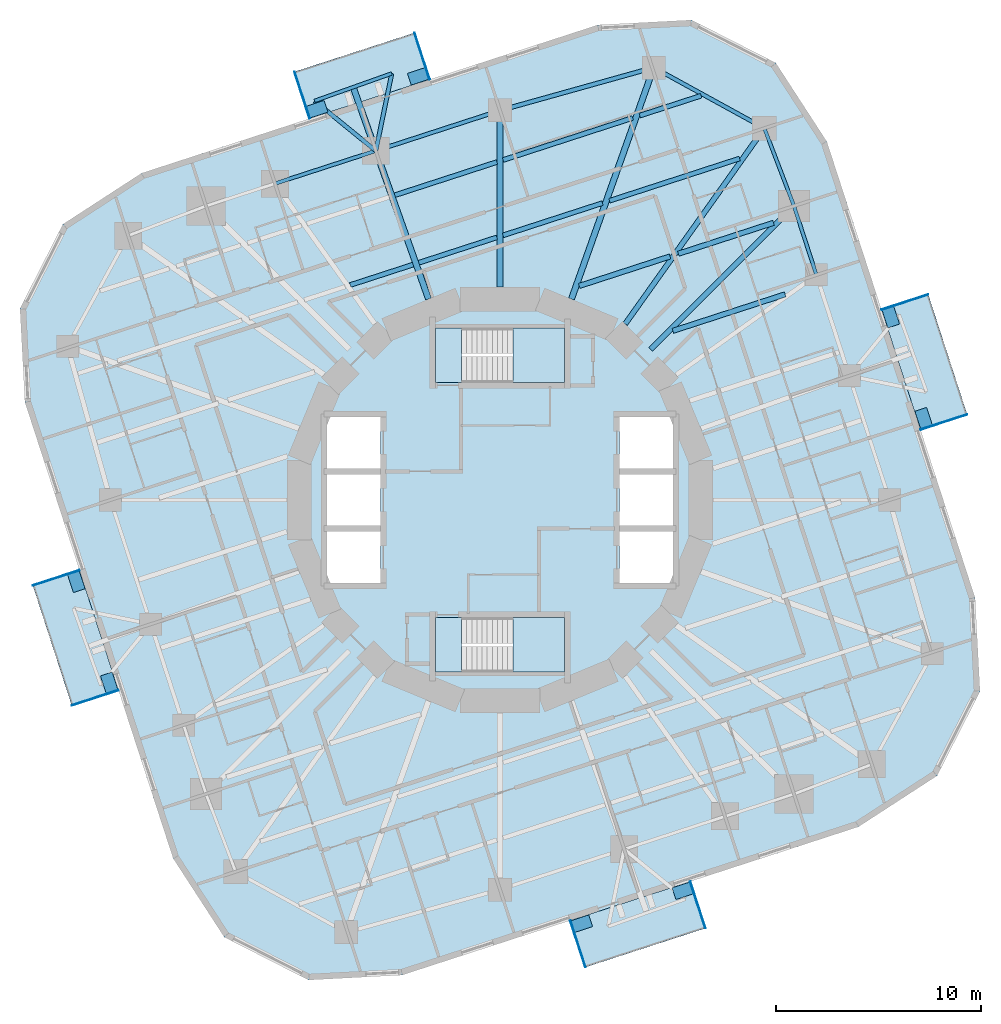
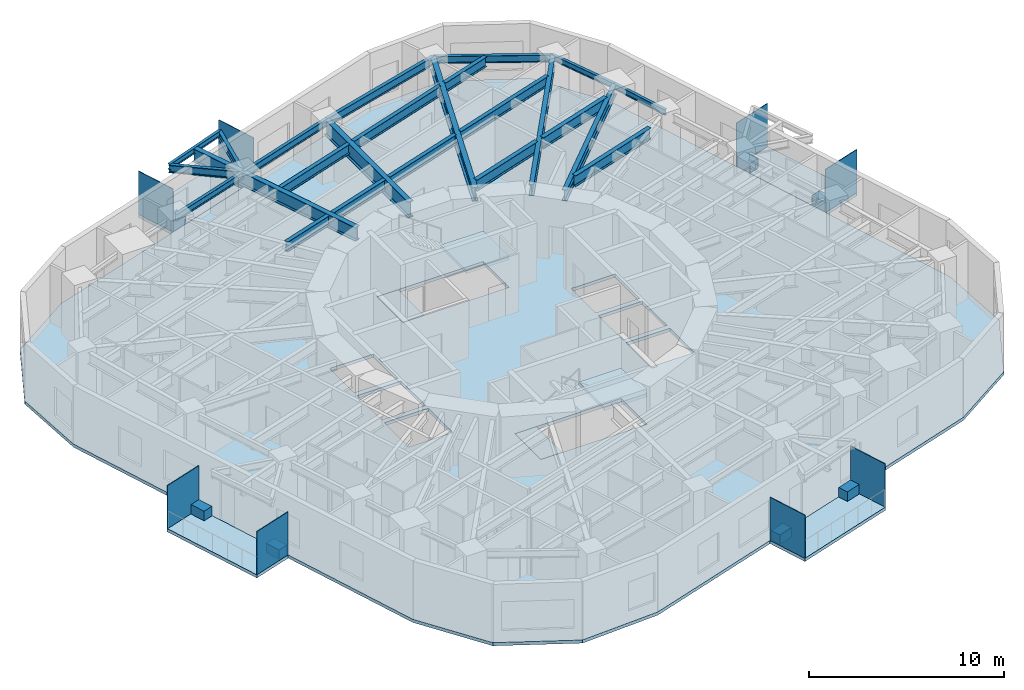
# One storey, part 3 of 12: 24 beams, 16 plates, 9 slabs, 2 elements without a shape of their own.
"""IFC4 building model written with IfcOpenShell, lengths in metres."""

from ifc_helpers import new_model, si_unit, direction, frame, origin, origin_2d, place, context, subcontext, project, spatial, polyline, rectangle, i_section, outline, extrude, material, layer, layer_set, material_profile, profile_set, type_object, element, aggregate, save


model = new_model("IFC4")

# Units and contexts
model_context = context("Model", 3, precision=1e-05, world=origin(), true_north=direction((0.0, 1.0)))
body_context = subcontext(model_context, "Body", "Model", "MODEL_VIEW")
ifc_project = project(units=[si_unit("LENGTHUNIT", "METRE"), si_unit("AREAUNIT", "SQUARE_METRE"), si_unit("VOLUMEUNIT", "CUBIC_METRE"), si_unit("PLANEANGLEUNIT", "RADIAN"), si_unit("MASSUNIT", "GRAM", prefix="KILO")], contexts=[model_context])

# Site, building, storey
site_placement = place(None, origin())
site = spatial("IfcSite", under=ifc_project, at=site_placement, CompositionType="ELEMENT")
building_placement = place(site_placement, origin())
building = spatial("IfcBuilding", under=site, at=building_placement, Name="Nakasero Lantern House", CompositionType="ELEMENT")
storey_placement = place(building_placement, frame((0.0, 0.0, 145.64990234375)))
storey = spatial("IfcBuildingStorey", under=building, at=storey_placement, Name="L35", CompositionType="ELEMENT", Elevation=145.64990234375)

# Beams
ifc_material_1 = material(Name="Steel S355", Category="steel")
ifc_material_profile_1 = material_profile(ifc_material_1, i_section(OverallWidth=0.199462890625, OverallDepth=0.491943359375, WebThickness=0.01806640625, FlangeThickness=0.031982421875, FilletRadius=0.01025390625, at=origin_2d()), Name="UB 457x191x161")
ifc_profile_set_1 = profile_set([ifc_material_profile_1], Name="Steel S355")
beam_type_1 = type_object("IfcBeamType", Name="Balcony splay beam UB 457x191x161", PredefinedType="BEAM", material=ifc_profile_set_1)
for number, where, z_axis, x_axis, name in (
    (1, (-6.06591796875, 17.060546875, 3.404052734375), (-0.774864205236, 0.632127727159, 0.0), (-0.632127727159, -0.774864205236, 0.0), "Balcony splay beam L36 B4-C10A"),
    (2, (-6.06591796875, 17.060546875, 3.404052734375), (0.201831438605, 0.979420272605, 0.0), (-0.979420272605, 0.201831438605, 0.0), "Balcony splay beam L36 B4-C10B"),
):
    element("IfcBeam", number, at=place(storey_placement, frame(where, z_axis=z_axis, x_axis=x_axis)), inside=storey, type_object=beam_type_1, Name=name, PredefinedType="BEAM", context=body_context, shape_type="SweptSolid", body=[
        extrude(i_section(OverallWidth=0.199462890625, OverallDepth=0.491943359375, WebThickness=0.01806640625, FlangeThickness=0.031982421875, FilletRadius=0.01025390625, at=origin_2d()), origin(), (0.0, 0.0, 1.0), 3.858642578125),
    ])
ifc_material_2 = material(Name="Steel S355", Category="steel")
ifc_material_profile_2 = material_profile(ifc_material_2, i_section(OverallWidth=0.17138671875, OverallDepth=0.35498046875, WebThickness=0.00732421875, FlangeThickness=0.011474609375, FilletRadius=0.01025390625, at=origin_2d()), Name="UB 356x171x51")
ifc_profile_set_2 = profile_set([ifc_material_profile_2], Name="Steel S355")
beam_type_2 = type_object("IfcBeamType", Name="Balcony tie beam UB 356x171x51", PredefinedType="BEAM", material=ifc_profile_set_2)
beam_1_placement = place(storey_placement, frame((-9.055908203125, 19.499755859375, 3.47265625), z_axis=(0.942209124415, 0.335025321236, 0.0), x_axis=(-0.335025321236, 0.942209124415, 0.0)))
element("IfcBeam", 3, at=beam_1_placement, inside=storey, type_object=beam_type_2, Name="Balcony tie beam L36 B4-C10", PredefinedType="BEAM", context=body_context, shape_type="SweptSolid", body=[
    extrude(i_section(OverallWidth=0.17138671875, OverallDepth=0.35498046875, WebThickness=0.00732421875, FlangeThickness=0.011474609375, FilletRadius=0.01025390625, at=origin_2d()), origin(), (0.0, 0.0, 1.0), 4.0),
])
ifc_material_3 = material(Name="Steel S355", Category="steel")
ifc_material_profile_3 = material_profile(ifc_material_3, i_section(OverallWidth=0.22900390625, OverallDepth=0.6123046875, WebThickness=0.011962890625, FlangeThickness=0.01953125, FilletRadius=0.0126953125, at=origin_2d()), Name="UB 610x229x125")
ifc_profile_set_3 = profile_set([ifc_material_profile_3], Name="Steel S355")
beam_type_3 = type_object("IfcBeamType", Name="Infill beam UB 610x229x125", PredefinedType="JOIST", material=ifc_profile_set_3)
beam_2_placement = place(storey_placement, frame((-7.31396484375, 10.50390625, 3.343994140625), z_axis=(0.951054080044, 0.309024492283, 0.0), x_axis=(-0.309024492283, 0.951054080044, 0.0)))
element("IfcBeam", 4, at=beam_2_placement, inside=storey, type_object=beam_type_3, Name="Infill beam L36 11.5", PredefinedType="JOIST", context=body_context, shape_type="SweptSolid", body=[
    extrude(i_section(OverallWidth=0.22900390625, OverallDepth=0.6123046875, WebThickness=0.011962890625, FlangeThickness=0.01953125, FilletRadius=0.0126953125, at=origin_2d()), origin(), (0.0, 0.0, 1.0), 3.227294921875),
])
beam_3_placement = place(storey_placement, frame((-3.96630859375, 11.591796875, 3.343994140625), z_axis=(0.95105910343, 0.309009031878, 0.0), x_axis=(-0.309009031878, 0.95105910343, 0.0)))
element("IfcBeam", 5, at=beam_3_placement, inside=storey, type_object=beam_type_3, Name="Infill beam L36 11.6", PredefinedType="JOIST", context=body_context, shape_type="SweptSolid", body=[
    extrude(i_section(OverallWidth=0.22900390625, OverallDepth=0.6123046875, WebThickness=0.011962890625, FlangeThickness=0.01953125, FilletRadius=0.0126953125, at=origin_2d()), origin(), (0.0, 0.0, 1.0), 4.0126953125),
])
beam_4_placement = place(storey_placement, frame((0.14990234375, 12.92919921875, 3.343994140625), z_axis=(0.951057977144, 0.309012498309, 0.0), x_axis=(-0.309012498309, 0.951057977144, 0.0)))
element("IfcBeam", 6, at=beam_4_placement, inside=storey, type_object=beam_type_3, Name="Infill beam L36 11.7", PredefinedType="JOIST", context=body_context, shape_type="SweptSolid", body=[
    extrude(i_section(OverallWidth=0.22900390625, OverallDepth=0.6123046875, WebThickness=0.011962890625, FlangeThickness=0.01953125, FilletRadius=0.0126953125, at=origin_2d()), origin(), (0.0, 0.0, 1.0), 5.102294921875),
])
beam_5_placement = place(storey_placement, frame((5.353271484375, 14.619873046875, 3.343994140625), z_axis=(0.951056080098, 0.30901833685, 0.0), x_axis=(-0.30901833685, 0.951056080098, 0.0)))
element("IfcBeam", 7, at=beam_5_placement, inside=storey, type_object=beam_type_3, Name="Infill beam L36 11.8", PredefinedType="JOIST", context=body_context, shape_type="SweptSolid", body=[
    extrude(i_section(OverallWidth=0.22900390625, OverallDepth=0.6123046875, WebThickness=0.011962890625, FlangeThickness=0.01953125, FilletRadius=0.0126953125, at=origin_2d()), origin(), (0.0, 0.0, 1.0), 6.68310546875),
])
beam_6_placement = place(storey_placement, frame((-5.139404296875, 14.890625, 3.343994140625), z_axis=(0.951061765699, 0.309000837904, 0.0), x_axis=(-0.309000837904, 0.951061765699, 0.0)))
element("IfcBeam", 8, at=beam_6_placement, inside=storey, type_object=beam_type_3, Name="Infill beam L36 12.5", PredefinedType="JOIST", context=body_context, shape_type="SweptSolid", body=[
    extrude(i_section(OverallWidth=0.22900390625, OverallDepth=0.6123046875, WebThickness=0.011962890625, FlangeThickness=0.01953125, FilletRadius=0.0126953125, at=origin_2d()), origin(), (0.0, 0.0, 1.0), 5.246337890625),
])
beam_7_placement = place(storey_placement, frame((0.14990234375, 16.609375, 3.343994140625), z_axis=(0.951068556075, 0.308979937287, 0.0), x_axis=(-0.308979937287, 0.951068556075, 0.0)))
element("IfcBeam", 9, at=beam_7_placement, inside=storey, type_object=beam_type_3, Name="Infill beam L36 12.6", PredefinedType="JOIST", context=body_context, shape_type="SweptSolid", body=[
    extrude(i_section(OverallWidth=0.22900390625, OverallDepth=0.6123046875, WebThickness=0.011962890625, FlangeThickness=0.01953125, FilletRadius=0.0126953125, at=origin_2d()), origin(), (0.0, 0.0, 1.0), 6.65771484375),
])
beam_8_placement = place(storey_placement, frame((6.832763671875, 18.780517578125, 3.343994140625), z_axis=(0.951054602662, 0.309022883872, 0.0), x_axis=(-0.309022883872, 0.951054602662, 0.0)))
element("IfcBeam", 10, at=beam_8_placement, inside=storey, type_object=beam_type_3, Name="Infill beam L36 12.7", PredefinedType="JOIST", context=body_context, shape_type="SweptSolid", body=[
    extrude(i_section(OverallWidth=0.22900390625, OverallDepth=0.6123046875, WebThickness=0.011962890625, FlangeThickness=0.01953125, FilletRadius=0.0126953125, at=origin_2d()), origin(), (0.0, 0.0, 1.0), 3.145263671875),
])
ifc_material_4 = material(Name="Steel S355", Category="steel")
ifc_material_profile_4 = material_profile(ifc_material_4, i_section(OverallWidth=0.253662109375, OverallDepth=0.68359375, WebThickness=0.012451171875, FlangeThickness=0.01904296875, FilletRadius=0.01513671875, at=origin_2d()), Name="UB 686x254x140")
ifc_profile_set_4 = profile_set([ifc_material_profile_4], Name="Steel S355")
beam_type_4 = type_object("IfcBeamType", Name="Infill beam UB 686x254x140", PredefinedType="JOIST", material=ifc_profile_set_4)
beam_9_placement = place(storey_placement, frame((8.44287109375, 8.263427734375, 3.308349609375), z_axis=(0.951055211673, 0.309021009559, 0.0), x_axis=(-0.309021009559, 0.951055211673, 0.0)))
element("IfcBeam", 11, at=beam_9_placement, inside=storey, type_object=beam_type_4, Name="Infill beam L36 09.2", PredefinedType="JOIST", context=body_context, shape_type="SweptSolid", body=[
    extrude(i_section(OverallWidth=0.253662109375, OverallDepth=0.68359375, WebThickness=0.012451171875, FlangeThickness=0.01904296875, FilletRadius=0.01513671875, at=origin_2d()), origin(), (0.0, 0.0, 1.0), 5.769775390625),
])
beam_10_placement = place(storey_placement, frame((3.8740234375, 10.458984375, 3.308349609375), z_axis=(0.95106063111, 0.309004329989, 0.0), x_axis=(-0.309004329989, 0.95106063111, 0.0)))
element("IfcBeam", 12, at=beam_10_placement, inside=storey, type_object=beam_type_4, Name="Infill beam L36 10.3", PredefinedType="JOIST", context=body_context, shape_type="SweptSolid", body=[
    extrude(i_section(OverallWidth=0.253662109375, OverallDepth=0.68359375, WebThickness=0.012451171875, FlangeThickness=0.01904296875, FilletRadius=0.01513671875, at=origin_2d()), origin(), (0.0, 0.0, 1.0), 4.659912109375),
])
beam_11_placement = place(storey_placement, frame((8.710693359375, 12.030517578125, 3.308349609375), z_axis=(0.951061574069, 0.309001427713, 0.0), x_axis=(-0.309001427713, 0.951061574069, 0.0)))
element("IfcBeam", 13, at=beam_11_placement, inside=storey, type_object=beam_type_4, Name="Infill beam L36 10.4", PredefinedType="JOIST", context=body_context, shape_type="SweptSolid", body=[
    extrude(i_section(OverallWidth=0.253662109375, OverallDepth=0.68359375, WebThickness=0.012451171875, FlangeThickness=0.01904296875, FilletRadius=0.01513671875, at=origin_2d()), origin(), (0.0, 0.0, 1.0), 4.8916015625),
])
ifc_material_5 = material(Name="Steel S355", Category="steel")
ifc_material_profile_5 = material_profile(ifc_material_5, i_section(OverallWidth=0.300048828125, OverallDepth=0.97998046875, WebThickness=0.0166015625, FlangeThickness=0.02587890625, FilletRadius=0.030029296875, at=origin_2d()), Name="UB 1016x305x249")
ifc_profile_set_5 = profile_set([ifc_material_profile_5], Name="Steel S355")
beam_type_5 = type_object("IfcBeamType", Name="Primary beam UB 1016x305x249, span 6 to 9 m", PredefinedType="BEAM", material=ifc_profile_set_5)
beam_12_placement = place(storey_placement, frame((0.0, 19.031494140625, 3.16015625), z_axis=(0.0, -1.0, 0.0), x_axis=(1.0, 0.0, 0.0)))
element("IfcBeam", 14, at=beam_12_placement, inside=storey, type_object=beam_type_5, Name="Primary beam L36 B4-C09", PredefinedType="BEAM", context=body_context, shape_type="SweptSolid", body=[
    extrude(i_section(OverallWidth=0.300048828125, OverallDepth=0.97998046875, WebThickness=0.0166015625, FlangeThickness=0.02587890625, FilletRadius=0.030029296875, at=origin_2d()), origin(), (0.0, 0.0, 1.0), 8.62353515625),
])
ifc_material_6 = material(Name="Steel S355", Category="steel")
ifc_material_profile_6 = material_profile(ifc_material_6, i_section(OverallWidth=0.253662109375, OverallDepth=0.68359375, WebThickness=0.012451171875, FlangeThickness=0.01904296875, FilletRadius=0.01513671875, at=origin_2d()), Name="UB 686x254x140")
ifc_profile_set_6 = profile_set([ifc_material_profile_6], Name="Steel S355")
beam_type_6 = type_object("IfcBeamType", Name="Primary beam UB 686x254x140, span 9 to 12 m", PredefinedType="BEAM", material=ifc_profile_set_6)
beam_13_placement = place(storey_placement, frame((14.3642578125, 14.3642578125, 3.308349609375), z_axis=(-0.707106781187, -0.707106781187, 0.0), x_axis=(0.707106781187, -0.707106781187, 0.0)))
element("IfcBeam", 15, at=beam_13_placement, inside=storey, type_object=beam_type_6, Name="Primary beam L36 B4-C06", PredefinedType="BEAM", context=body_context, shape_type="SweptSolid", body=[
    extrude(i_section(OverallWidth=0.253662109375, OverallDepth=0.68359375, WebThickness=0.012451171875, FlangeThickness=0.01904296875, FilletRadius=0.01513671875, at=origin_2d()), origin(), (0.0, 0.0, 1.0), 9.906494140625),
])
beam_14_placement = place(storey_placement, frame((12.916015625, 18.1630859375, 3.308349609375), z_axis=(-0.579530236062, -0.814950738075, 0.0), x_axis=(0.814950738075, -0.579530236062, 0.0)))
element("IfcBeam", 16, at=beam_14_placement, inside=storey, type_object=beam_type_6, Name="Primary beam L36 B4-C07", PredefinedType="BEAM", context=body_context, shape_type="SweptSolid", body=[
    extrude(i_section(OverallWidth=0.253662109375, OverallDepth=0.68359375, WebThickness=0.012451171875, FlangeThickness=0.01904296875, FilletRadius=0.01513671875, at=origin_2d()), origin(), (0.0, 0.0, 1.0), 11.73193359375),
])
ifc_material_7 = material(Name="Steel S355", Category="steel")
ifc_material_profile_7 = material_profile(ifc_material_7, i_section(OverallWidth=0.29248046875, OverallDepth=0.8408203125, WebThickness=0.0146484375, FlangeThickness=0.02685546875, FilletRadius=0.017822265625, at=origin_2d()), Name="UB 838x292x194")
ifc_profile_set_7 = profile_set([ifc_material_profile_7], Name="Steel S355")
beam_type_7 = type_object("IfcBeamType", Name="Primary beam UB 838x292x194, span 12 to 15 m", PredefinedType="BEAM", material=ifc_profile_set_7)
beam_15_placement = place(storey_placement, frame((7.5126953125, 21.129638671875, 3.229736328125), z_axis=(-0.335012877559, -0.942213548974, 0.0), x_axis=(0.942213548974, -0.335012877559, 0.0)))
element("IfcBeam", 17, at=beam_15_placement, inside=storey, type_object=beam_type_7, Name="Primary beam L36 B4-C08", PredefinedType="BEAM", context=body_context, shape_type="SweptSolid", body=[
    extrude(i_section(OverallWidth=0.29248046875, OverallDepth=0.8408203125, WebThickness=0.0146484375, FlangeThickness=0.02685546875, FilletRadius=0.017822265625, at=origin_2d()), origin(), (0.0, 0.0, 1.0), 12.00390625),
])
ifc_material_8 = material(Name="Steel S355", Category="steel")
ifc_material_profile_8 = material_profile(ifc_material_8, i_section(OverallWidth=0.29248046875, OverallDepth=0.8408203125, WebThickness=0.0146484375, FlangeThickness=0.02685546875, FilletRadius=0.017822265625, at=origin_2d()), Name="UB 838x292x194")
ifc_profile_set_8 = profile_set([ifc_material_profile_8], Name="Steel S355")
beam_type_8 = type_object("IfcBeamType", Name="Primary beam UB 838x292x194, span 6 to 9 m", PredefinedType="BEAM", material=ifc_profile_set_8)
beam_16_placement = place(storey_placement, frame((-7.17138671875, 20.169921875, 3.229736328125), z_axis=(0.335007036998, -0.942215625619, 0.0), x_axis=(0.942215625619, 0.335007036998, 0.0)))
element("IfcBeam", 18, at=beam_16_placement, inside=storey, type_object=beam_type_8, Name="Primary beam L36 B4-C10", PredefinedType="BEAM", context=body_context, shape_type="SweptSolid", body=[
    extrude(i_section(OverallWidth=0.29248046875, OverallDepth=0.8408203125, WebThickness=0.0146484375, FlangeThickness=0.02685546875, FilletRadius=0.017822265625, at=origin_2d()), origin(), (0.0, 0.0, 1.0), 10.9853515625),
])
ifc_material_9 = material(Name="Steel S355", Category="steel")
ifc_material_profile_9 = material_profile(ifc_material_9, i_section(OverallWidth=0.17138671875, OverallDepth=0.35498046875, WebThickness=0.00732421875, FlangeThickness=0.011474609375, FilletRadius=0.01025390625, at=origin_2d()), Name="UB 356x171x51")
ifc_profile_set_9 = profile_set([ifc_material_profile_9], Name="Steel S355")
beam_type_9 = type_object("IfcBeamType", Name="Ring beam UB 356x171x51", PredefinedType="BEAM", material=ifc_profile_set_9)
beam_17_placement = place(storey_placement, frame((15.45947265625, 10.993408203125, 3.47265625), z_axis=(-0.309006636447, 0.951059881727, 0.0), x_axis=(-0.951059881727, -0.309006636447, 0.0)))
element("IfcBeam", 19, at=beam_17_placement, inside=storey, type_object=beam_type_9, Name="Ring beam L36 B4-C05", PredefinedType="BEAM", context=body_context, shape_type="SweptSolid", body=[
    extrude(i_section(OverallWidth=0.17138671875, OverallDepth=0.35498046875, WebThickness=0.00732421875, FlangeThickness=0.011474609375, FilletRadius=0.01025390625, at=origin_2d()), origin(), (0.0, 0.0, 1.0), 3.544189453125),
])
beam_18_placement = place(storey_placement, frame((14.3642578125, 14.3642578125, 3.47265625), z_axis=(-0.35622505813, 0.934400186194, 0.0), x_axis=(-0.934400186194, -0.35622505813, 0.0)))
element("IfcBeam", 20, at=beam_18_placement, inside=storey, type_object=beam_type_9, Name="Ring beam L36 B4-C06", PredefinedType="BEAM", context=body_context, shape_type="SweptSolid", body=[
    extrude(i_section(OverallWidth=0.17138671875, OverallDepth=0.35498046875, WebThickness=0.00732421875, FlangeThickness=0.011474609375, FilletRadius=0.01025390625, at=origin_2d()), origin(), (0.0, 0.0, 1.0), 4.0654296875),
])
ifc_material_10 = material(Name="Steel S355", Category="steel")
ifc_material_profile_10 = material_profile(ifc_material_10, i_section(OverallWidth=0.177978515625, OverallDepth=0.406494140625, WebThickness=0.0078125, FlangeThickness=0.0126953125, FilletRadius=0.01025390625, at=origin_2d()), Name="UB 406x178x60")
ifc_profile_set_10 = profile_set([ifc_material_profile_10], Name="Steel S355")
beam_type_10 = type_object("IfcBeamType", Name="Ring beam UB 406x178x60", PredefinedType="BEAM", material=ifc_profile_set_10)
beam_19_placement = place(storey_placement, frame((-6.06591796875, 17.060546875, 3.44677734375), z_axis=(-0.95105449754, -0.309023207396, 0.0), x_axis=(0.309023207396, -0.95105449754, 0.0)))
element("IfcBeam", 21, at=beam_19_placement, inside=storey, type_object=beam_type_10, Name="Ring beam L36 B4-C10", PredefinedType="BEAM", context=body_context, shape_type="SweptSolid", body=[
    extrude(i_section(OverallWidth=0.177978515625, OverallDepth=0.406494140625, WebThickness=0.0078125, FlangeThickness=0.0126953125, FilletRadius=0.01025390625, at=origin_2d()), origin(), (0.0, 0.0, 1.0), 5.18115234375),
])
ifc_material_11 = material(Name="Steel S355", Category="steel")
ifc_material_profile_11 = material_profile(ifc_material_11, i_section(OverallWidth=0.18994140625, OverallDepth=0.453369140625, WebThickness=0.008544921875, FlangeThickness=0.0126953125, FilletRadius=0.01025390625, at=origin_2d()), Name="UB 457x191x67")
ifc_profile_set_11 = profile_set([ifc_material_profile_11], Name="Steel S355")
beam_type_11 = type_object("IfcBeamType", Name="Ring beam UB 457x191x67", PredefinedType="BEAM", material=ifc_profile_set_11)
beam_20_placement = place(storey_placement, frame((12.916015625, 18.1630859375, 3.42333984375), z_axis=(-0.876576912681, 0.481261795861, 0.0), x_axis=(-0.481261795861, -0.876576912681, 0.0)))
element("IfcBeam", 22, at=beam_20_placement, inside=storey, type_object=beam_type_11, Name="Ring beam L36 B4-C07", PredefinedType="BEAM", context=body_context, shape_type="SweptSolid", body=[
    extrude(i_section(OverallWidth=0.18994140625, OverallDepth=0.453369140625, WebThickness=0.008544921875, FlangeThickness=0.0126953125, FilletRadius=0.01025390625, at=origin_2d()), origin(), (0.0, 0.0, 1.0), 6.1640625),
])
ifc_material_12 = material(Name="Steel S355", Category="steel")
ifc_material_profile_12 = material_profile(ifc_material_12, i_section(OverallWidth=0.19140625, OverallDepth=0.4599609375, WebThickness=0.010009765625, FlangeThickness=0.01611328125, FilletRadius=0.01025390625, at=origin_2d()), Name="UB 457x191x82")
ifc_profile_set_12 = profile_set([ifc_material_profile_12], Name="Steel S355")
beam_type_12 = type_object("IfcBeamType", Name="Ring beam UB 457x191x82", PredefinedType="BEAM", material=ifc_profile_set_12)
beam_21_placement = place(storey_placement, frame((0.0, 19.031494140625, 3.420166015625), z_axis=(-0.951056007502, -0.309018560274, 0.0), x_axis=(0.309018560274, -0.951056007502, 0.0)))
element("IfcBeam", 23, at=beam_21_placement, inside=storey, type_object=beam_type_12, Name="Ring beam L36 B4-C09", PredefinedType="BEAM", context=body_context, shape_type="SweptSolid", body=[
    extrude(i_section(OverallWidth=0.19140625, OverallDepth=0.4599609375, WebThickness=0.010009765625, FlangeThickness=0.01611328125, FilletRadius=0.01025390625, at=origin_2d()), origin(), (0.0, 0.0, 1.0), 6.378173828125),
])
ifc_material_13 = material(Name="Steel S355", Category="steel")
ifc_material_profile_13 = material_profile(ifc_material_13, i_section(OverallWidth=0.208740234375, OverallDepth=0.5283203125, WebThickness=0.009521484375, FlangeThickness=0.01318359375, FilletRadius=0.0126953125, at=origin_2d()), Name="UB 533x210x82")
ifc_profile_set_13 = profile_set([ifc_material_profile_13], Name="Steel S355")
beam_type_13 = type_object("IfcBeamType", Name="Ring beam UB 533x210x82", PredefinedType="BEAM", material=ifc_profile_set_13)
beam_22_placement = place(storey_placement, frame((7.5126953125, 21.129638671875, 3.385986328125), z_axis=(-0.963143892339, -0.268986696047, 0.0), x_axis=(0.268986696047, -0.963143892339, 0.0)))
element("IfcBeam", 24, at=beam_22_placement, inside=storey, type_object=beam_type_13, Name="Ring beam L36 B4-C08", PredefinedType="BEAM", context=body_context, shape_type="SweptSolid", body=[
    extrude(i_section(OverallWidth=0.208740234375, OverallDepth=0.5283203125, WebThickness=0.009521484375, FlangeThickness=0.01318359375, FilletRadius=0.0126953125, at=origin_2d()), origin(), (0.0, 0.0, 1.0), 7.80029296875),
])

# Plates
ifc_material_14 = material(Name="Aluminium 6063-T6", Category="aluminium")
ifc_layer_1 = layer(ifc_material_14, 0.60009765625)
ifc_layer_set_1 = layer_set([ifc_layer_1], Name="Balcony planter 600x900")
plate_type_1 = type_object("IfcPlateType", Name="Balcony planter 600x900", PredefinedType="USERDEFINED", material=ifc_layer_set_1)
for number, where, z_axis, x_axis, name in (
    (25, (20.696533203125, 4.00146484375, 0.0), (0.0, 0.0, 1.0), (0.951056516295, 0.309016994375, 0.0), "Balcony PLANTER L35 BAL0A"),
    (26, (19.095703125, 8.927978515625, 0.0), (0.0, 0.0, 1.0), (0.951056516295, 0.309016994375, 0.0), "Balcony PLANTER L35 BAL0B"),
    (27, (-4.00146484375, 20.696533203125, 0.0), (0.0, 0.0, 1.0), (-0.309016994375, 0.951056516295, 0.0), "Balcony PLANTER L35 BAL1A"),
    (28, (-8.927978515625, 19.095703125, 0.0), (0.0, 0.0, 1.0), (-0.309016994375, 0.951056516295, 0.0), "Balcony PLANTER L35 BAL1B"),
    (29, (-20.696533203125, -4.00146484375, 0.0), (0.0, 0.0, 1.0), (-0.951056516295, -0.309016994375, 0.0), "Balcony PLANTER L35 BAL2A"),
    (30, (-19.095703125, -8.927978515625, 0.0), (0.0, 0.0, 1.0), (-0.951056516295, -0.309016994375, 0.0), "Balcony PLANTER L35 BAL2B"),
    (31, (4.00146484375, -20.696533203125, 0.0), (0.0, 0.0, 1.0), (0.309016994375, -0.951056516295, 0.0), "Balcony PLANTER L35 BAL3A"),
    (32, (8.927978515625, -19.095703125, 0.0), (0.0, 0.0, 1.0), (0.309016994375, -0.951056516295, 0.0), "Balcony PLANTER L35 BAL3B"),
):
    element("IfcPlate", number, at=place(storey_placement, frame(where, z_axis=z_axis, x_axis=x_axis)), inside=storey, type_object=plate_type_1, Name=name, ObjectType="PLANTER", PredefinedType="USERDEFINED", context=body_context, shape_type="SweptSolid", body=[
        extrude(rectangle(XDim=0.60009765625, YDim=0.89990234375, at=origin_2d()), origin(), (0.0, 0.0, 1.0), 0.60009765625),
    ])
ifc_material_15 = material(Name="Aluminium 6063-T6", Category="aluminium")
ifc_layer_2 = layer(ifc_material_15, 0.0400390625)
ifc_layer_set_2 = layer_set([ifc_layer_2], Name="Balcony screen 2400x2700")
plate_type_2 = type_object("IfcPlateType", Name="Balcony screen 2400x2700", PredefinedType="SHEET", material=ifc_layer_set_2)
for number, where, z_axis, x_axis, name in (
    (33, (21.684814453125, 3.807373046875, 0.0), (0.0, 0.0, 1.0), (0.951056516295, 0.309016994375, 0.0), "Balcony SCREEN L35 BAL0A"),
    (34, (19.78125, 9.665771484375, 0.0), (0.0, 0.0, 1.0), (0.951056516295, 0.309016994375, 0.0), "Balcony SCREEN L35 BAL0B"),
    (35, (-3.807373046875, 21.684814453125, 0.0), (0.0, 0.0, 1.0), (-0.309016994375, 0.951056516295, 0.0), "Balcony SCREEN L35 BAL1A"),
    (36, (-9.665771484375, 19.78125, 0.0), (0.0, 0.0, 1.0), (-0.309016994375, 0.951056516295, 0.0), "Balcony SCREEN L35 BAL1B"),
    (37, (-21.684814453125, -3.807373046875, 0.0), (0.0, 0.0, 1.0), (-0.951056516295, -0.309016994375, 0.0), "Balcony SCREEN L35 BAL2A"),
    (38, (-19.78125, -9.665771484375, 0.0), (0.0, 0.0, 1.0), (-0.951056516295, -0.309016994375, 0.0), "Balcony SCREEN L35 BAL2B"),
    (39, (3.807373046875, -21.684814453125, 0.0), (0.0, 0.0, 1.0), (0.309016994375, -0.951056516295, 0.0), "Balcony SCREEN L35 BAL3A"),
    (40, (9.665771484375, -19.78125, 0.0), (0.0, 0.0, 1.0), (0.309016994375, -0.951056516295, 0.0), "Balcony SCREEN L35 BAL3B"),
):
    element("IfcPlate", number, at=place(storey_placement, frame(where, z_axis=z_axis, x_axis=x_axis)), inside=storey, type_object=plate_type_2, Name=name, PredefinedType="SHEET", context=body_context, shape_type="SweptSolid", body=[
        extrude(rectangle(XDim=2.39990234375, YDim=0.0400390625, at=origin_2d()), origin(), (0.0, 0.0, 1.0), 2.699951171875),
    ])

# Slabs
ifc_material_16 = material(Name="Concrete C35/45", Category="concrete")
ifc_layer_3 = layer(ifc_material_16, 0.199951171875)
ifc_layer_set_3 = layer_set([ifc_layer_3], Name="Balcony slab 200")
slab_type_1 = type_object("IfcSlabType", Name="Balcony slab 200", PredefinedType="USERDEFINED", material=ifc_layer_set_3)
slab_1_placement = place(storey_placement, frame((0.0, 0.0, -0.199951171875)))
element("IfcSlab", 41, at=slab_1_placement, inside=storey, type_object=slab_type_1, Name="Balcony L35 BAL0", ObjectType="BALCONY", PredefinedType="USERDEFINED", context=body_context, shape_type="SweptSolid", body=[
    extrude(outline(polyline([(20.5498046875, 3.41748046875), (22.832275390625, 4.1591796875), (20.916259765625, 10.0556640625), (18.6337890625, 9.31396484375), (20.5498046875, 3.41748046875)])), origin(), (0.0, 0.0, 1.0), 0.199951171875),
])
slab_2_placement = place(storey_placement, frame((0.0, 0.0, -0.199951171875)))
element("IfcSlab", 42, at=slab_2_placement, inside=storey, type_object=slab_type_1, Name="Balcony L35 BAL1", ObjectType="BALCONY", PredefinedType="USERDEFINED", context=body_context, shape_type="SweptSolid", body=[
    extrude(outline(polyline([(-3.41748046875, 20.5498046875), (-4.1591796875, 22.832275390625), (-10.0556640625, 20.916259765625), (-9.31396484375, 18.6337890625), (-3.41748046875, 20.5498046875)])), origin(), (0.0, 0.0, 1.0), 0.199951171875),
])
slab_3_placement = place(storey_placement, frame((0.0, 0.0, -0.199951171875)))
element("IfcSlab", 43, at=slab_3_placement, inside=storey, type_object=slab_type_1, Name="Balcony L35 BAL2", ObjectType="BALCONY", PredefinedType="USERDEFINED", context=body_context, shape_type="SweptSolid", body=[
    extrude(outline(polyline([(-20.5498046875, -3.41748046875), (-22.832275390625, -4.1591796875), (-20.916259765625, -10.0556640625), (-18.6337890625, -9.31396484375), (-20.5498046875, -3.41748046875)])), origin(), (0.0, 0.0, 1.0), 0.199951171875),
])
slab_4_placement = place(storey_placement, frame((0.0, 0.0, -0.199951171875)))
element("IfcSlab", 44, at=slab_4_placement, inside=storey, type_object=slab_type_1, Name="Balcony L35 BAL3", ObjectType="BALCONY", PredefinedType="USERDEFINED", context=body_context, shape_type="SweptSolid", body=[
    extrude(outline(polyline([(3.41748046875, -20.5498046875), (4.1591796875, -22.832275390625), (10.0556640625, -20.916259765625), (9.31396484375, -18.6337890625), (3.41748046875, -20.5498046875)])), origin(), (0.0, 0.0, 1.0), 0.199951171875),
])
ifc_material_17 = material(Name="Concrete C35/45", Category="concrete")
ifc_layer_4 = layer(ifc_material_17, 0.199951171875)
ifc_layer_set_4 = layer_set([ifc_layer_4], Name="Composite floor slab 200")
slab_type_2 = type_object("IfcSlabType", Name="Composite floor slab 200", PredefinedType="FLOOR", material=ifc_layer_set_4)
slab_5_placement = place(storey_placement, frame((0.0, 0.0, -0.199951171875)))
element("IfcSlab", 45, at=slab_5_placement, inside=storey, type_object=slab_type_2, Name="Floor slab L35", PredefinedType="FLOOR", context=body_context, shape_type="SweptSolid", body=[
    extrude(outline(polyline([(15.976318359375, 17.4931640625), (13.467041015625, 21.35693359375), (9.3623046875, 23.448486328125), (4.76171875, 23.207275390625), (-17.4931640625, 15.976318359375), (-21.35693359375, 13.467041015625), (-23.448486328125, 9.3623046875), (-23.207275390625, 4.76171875), (-15.976318359375, -17.4931640625), (-13.467041015625, -21.35693359375), (-9.3623046875, -23.448486328125), (-4.76171875, -23.207275390625), (17.4931640625, -15.976318359375), (21.35693359375, -13.467041015625), (23.448486328125, -9.3623046875), (23.207275390625, -4.76171875), (15.976318359375, 17.4931640625)]), holes=[polyline([(-8.449951171875, -4.050048828125), (-5.85009765625, -4.050048828125), (-5.85009765625, -1.550048828125), (-8.449951171875, -1.550048828125), (-8.449951171875, -4.050048828125)]), polyline([(-8.449951171875, -1.25), (-5.85009765625, -1.25), (-5.85009765625, 1.25), (-8.449951171875, 1.25), (-8.449951171875, -1.25)]), polyline([(-8.449951171875, 1.550048828125), (-5.85009765625, 1.550048828125), (-5.85009765625, 4.050048828125), (-8.449951171875, 4.050048828125), (-8.449951171875, 1.550048828125)]), polyline([(5.85009765625, -4.050048828125), (8.449951171875, -4.050048828125), (8.449951171875, -1.550048828125), (5.85009765625, -1.550048828125), (5.85009765625, -4.050048828125)]), polyline([(5.85009765625, -1.25), (8.449951171875, -1.25), (8.449951171875, 1.25), (5.85009765625, 1.25), (5.85009765625, -1.25)]), polyline([(5.85009765625, 1.550048828125), (8.449951171875, 1.550048828125), (8.449951171875, 4.050048828125), (5.85009765625, 4.050048828125), (5.85009765625, 1.550048828125)]), polyline([(-3.14990234375, 5.75), (3.14990234375, 5.75), (3.14990234375, 8.39990234375), (-3.14990234375, 8.39990234375), (-3.14990234375, 5.75)]), polyline([(-3.14990234375, -8.39990234375), (3.14990234375, -8.39990234375), (3.14990234375, -5.75), (-3.14990234375, -5.75), (-3.14990234375, -8.39990234375)])]), origin(), (0.0, 0.0, 1.0), 0.199951171875),
])

# Stair, slabs
ifc_material_18 = material(Name="Concrete C40/50", Category="concrete")
stair_type_1 = type_object("IfcStairType", Name="Escape stair ST1 22 risers", PredefinedType="HALF_TURN_STAIR", material=ifc_material_18)
stair_1_placement = place(storey_placement, origin())
stair_1 = element("IfcStair", 46, at=stair_1_placement, inside=storey, type_object=stair_type_1, Name="Escape stair ST1 L35", PredefinedType="HALF_TURN_STAIR")
ifc_material_19 = material(Name="Concrete C40/50", Category="concrete")
ifc_layer_5 = layer(ifc_material_19, 0.199951171875)
ifc_layer_set_5 = layer_set([ifc_layer_5], Name="Stair landing 200")
slab_type_3 = type_object("IfcSlabType", Name="Stair landing 200", PredefinedType="LANDING", material=ifc_layer_set_5)
slab_6_placement = place(storey_placement, frame((0.0, 0.0, -0.199951171875)))
slab_6 = element("IfcSlab", 47, at=slab_6_placement, type_object=slab_type_3, Name="ST1 landing 1", PredefinedType="LANDING", context=body_context, shape_type="SweptSolid", body=[
    extrude(outline(polyline([(-3.14990234375, 5.75), (-1.875, 5.75), (-1.875, 8.39990234375), (-3.14990234375, 8.39990234375), (-3.14990234375, 5.75)])), origin(), (0.0, 0.0, 1.0), 0.199951171875),
])
slab_7_placement = place(storey_placement, frame((0.0, 0.0, 1.72509765625)))
slab_7 = element("IfcSlab", 48, at=slab_7_placement, type_object=slab_type_3, Name="ST1 landing 2", PredefinedType="LANDING", context=body_context, shape_type="SweptSolid", body=[
    extrude(outline(polyline([(0.625, 5.75), (3.14990234375, 5.75), (3.14990234375, 8.39990234375), (0.625, 8.39990234375), (0.625, 5.75)])), origin(), (0.0, 0.0, 1.0), 0.199951171875),
])
aggregate(stair_1, [slab_6, slab_7])

ifc_material_20 = material(Name="Concrete C40/50", Category="concrete")
stair_type_2 = type_object("IfcStairType", Name="Escape stair ST2 22 risers", PredefinedType="HALF_TURN_STAIR", material=ifc_material_20)
stair_2_placement = place(storey_placement, origin())
stair_2 = element("IfcStair", 49, at=stair_2_placement, inside=storey, type_object=stair_type_2, Name="Escape stair ST2 L35", PredefinedType="HALF_TURN_STAIR")
slab_8_placement = place(storey_placement, frame((0.0, 0.0, -0.199951171875)))
slab_8 = element("IfcSlab", 50, at=slab_8_placement, type_object=slab_type_3, Name="ST2 landing 1", PredefinedType="LANDING", context=body_context, shape_type="SweptSolid", body=[
    extrude(outline(polyline([(-3.14990234375, -8.39990234375), (-1.875, -8.39990234375), (-1.875, -5.75), (-3.14990234375, -5.75), (-3.14990234375, -8.39990234375)])), origin(), (0.0, 0.0, 1.0), 0.199951171875),
])
slab_9_placement = place(storey_placement, frame((0.0, 0.0, 1.72509765625)))
slab_9 = element("IfcSlab", 51, at=slab_9_placement, type_object=slab_type_3, Name="ST2 landing 2", PredefinedType="LANDING", context=body_context, shape_type="SweptSolid", body=[
    extrude(outline(polyline([(0.625, -8.39990234375), (3.14990234375, -8.39990234375), (3.14990234375, -5.75), (0.625, -5.75), (0.625, -8.39990234375)])), origin(), (0.0, 0.0, 1.0), 0.199951171875),
])
aggregate(stair_2, [slab_8, slab_9])

save(model, "model.ifc")
